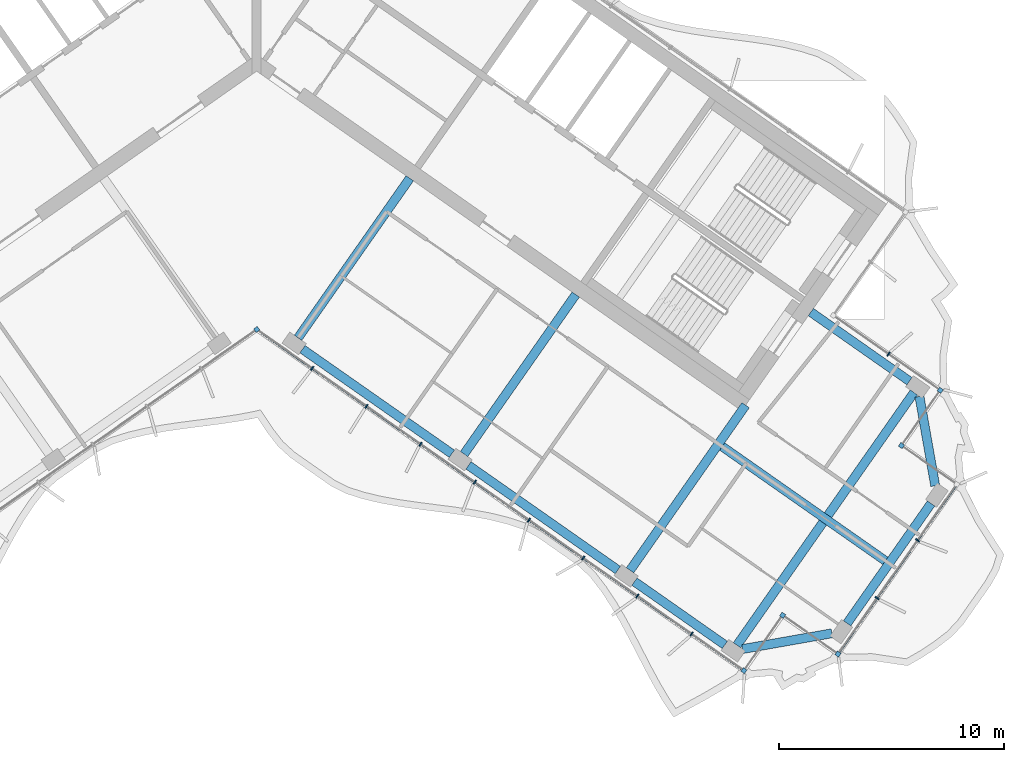
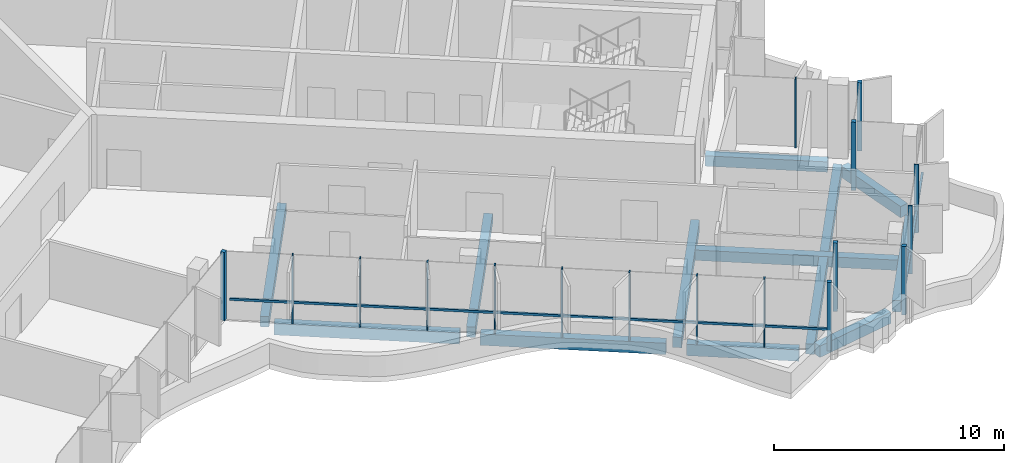
# One storey, part 4 of 18: 19 members, 12 beams, 1 element without a shape of its own.
"""IFC4 building model written with IfcOpenShell, lengths in metres."""

from ifc_helpers import new_model, si_unit, direction, frame, origin, origin_2d, place, context, subcontext, project, spatial, rectangle, extrude, material, material_profile, profile_set, type_object, element, aggregate, save


model = new_model("IFC4")

# Units and contexts
model_context = context("Model", 3, precision=1e-05, world=origin(), true_north=direction((0.0, 1.0)))
body_context = subcontext(model_context, "Body", "Model", "MODEL_VIEW")
ifc_project = project(units=[si_unit("LENGTHUNIT", "METRE"), si_unit("AREAUNIT", "SQUARE_METRE"), si_unit("VOLUMEUNIT", "CUBIC_METRE"), si_unit("PLANEANGLEUNIT", "RADIAN"), si_unit("MASSUNIT", "GRAM", prefix="KILO")], contexts=[model_context])

# Site, building, storey
site_placement = place(None, origin())
site = spatial("IfcSite", under=ifc_project, at=site_placement, CompositionType="ELEMENT")
building_placement = place(site_placement, origin())
building = spatial("IfcBuilding", under=site, at=building_placement, Name="Tel Ilan Convention Tower", CompositionType="ELEMENT")
storey_placement = place(building_placement, frame((0.0, 0.0, 252.699951171875)))
storey = spatial("IfcBuildingStorey", under=building, at=storey_placement, Name="L59", CompositionType="ELEMENT", Elevation=252.699951171875)

# Beams
ifc_material_1 = material(Name="Concrete C40/50", Category="concrete")
ifc_material_profile_1 = material_profile(ifc_material_1, rectangle(XDim=0.39990234375, YDim=0.550048828125, at=origin_2d()), Name="RC 400x550")
ifc_profile_set_1 = profile_set([ifc_material_profile_1], Name="Concrete C40/50")
beam_type_1 = type_object("IfcBeamType", Name="Beam RC 400x550 Concrete C40/50", PredefinedType="BEAM", material=ifc_profile_set_1)
beam_1_placement = place(storey_placement, frame((28.99462890625, -14.991943359375, -0.554931640625), z_axis=(-0.819146154531, 0.573584847705, 0.0), x_axis=(-0.573584847705, -0.819146154531, 0.0)))
element("IfcBeam", 1, at=beam_1_placement, inside=storey, type_object=beam_type_1, Name="L59 beam E-E-BC-core", PredefinedType="BEAM", context=body_context, shape_type="SweptSolid", body=[
    extrude(rectangle(XDim=0.39990234375, YDim=0.550048828125, at=origin_2d()), origin(), (0.0, 0.0, 1.0), 5.349853515625),
])
for number, where, z_axis, x_axis, name in (
    (2, (1.83740234375, -13.06689453125, -0.554931640625), (0.573574099654, 0.819153680457, 0.0), (-0.819153680457, 0.573574099654, 0.0), "L59 beam E-E-F1-core"),
    (3, (9.209716796875, -18.229248046875, -0.554931640625), (0.573574099654, 0.819153680457, 0.0), (-0.819153680457, 0.573574099654, 0.0), "L59 beam E-E-F2-core"),
):
    element("IfcBeam", number, at=place(storey_placement, frame(where, z_axis=z_axis, x_axis=x_axis)), inside=storey, type_object=beam_type_1, Name=name, PredefinedType="BEAM", context=body_context, shape_type="SweptSolid", body=[
        extrude(rectangle(XDim=0.39990234375, YDim=0.550048828125, at=origin_2d()), origin(), (0.0, 0.0, 1.0), 8.64990234375),
    ])
beam_2_placement = place(storey_placement, frame((16.58203125, -23.391357421875, -0.554931640625), z_axis=(0.573584999642, 0.819146048141, 0.0), x_axis=(-0.819146048141, 0.573584999642, 0.0)))
element("IfcBeam", 4, at=beam_2_placement, inside=storey, type_object=beam_type_1, Name="L59 beam E-E-F3-core", PredefinedType="BEAM", context=body_context, shape_type="SweptSolid", body=[
    extrude(rectangle(XDim=0.39990234375, YDim=0.550048828125, at=origin_2d()), origin(), (0.0, 0.0, 1.0), 8.949951171875),
])
beam_3_placement = place(storey_placement, frame((20.6748046875, -17.89501953125, -0.554931640625), z_axis=(0.819162208319, -0.573561920338, 0.0), x_axis=(0.573561920338, 0.819162208319, 0.0)))
element("IfcBeam", 5, at=beam_3_placement, inside=storey, type_object=beam_type_1, Name="L59 beam E-core-end", PredefinedType="BEAM", context=body_context, shape_type="SweptSolid", body=[
    extrude(rectangle(XDim=0.39990234375, YDim=0.550048828125, at=origin_2d()), origin(), (0.0, 0.0, 1.0), 9.0498046875),
])
beam_4_placement = place(storey_placement, frame((21.333251953125, -26.718017578125, -0.554931640625), z_axis=(0.57357117602, 0.819155727587, 0.0), x_axis=(-0.819155727587, 0.57357117602, 0.0)))
element("IfcBeam", 6, at=beam_4_placement, inside=storey, type_object=beam_type_1, Name="L59 beam E-E-FC-E-BC", PredefinedType="BEAM", context=body_context, shape_type="SweptSolid", body=[
    extrude(rectangle(XDim=0.39990234375, YDim=0.550048828125, at=origin_2d()), origin(), (0.0, 0.0, 1.0), 13.699951171875),
])
ifc_material_2 = material(Name="Concrete C40/50", Category="concrete")
ifc_material_profile_2 = material_profile(ifc_material_2, rectangle(XDim=0.39990234375, YDim=0.60009765625, at=origin_2d()), Name="RC 400x600")
ifc_profile_set_2 = profile_set([ifc_material_profile_2], Name="Concrete C40/50")
beam_type_2 = type_object("IfcBeamType", Name="Beam RC 400x600 Concrete C40/50", PredefinedType="BEAM", material=ifc_profile_set_2)
beam_5_placement = place(storey_placement, frame((2.033935546875, -13.57080078125, -0.579833984375), z_axis=(0.81914553362, -0.573585734437, 0.0), x_axis=(0.573585734437, 0.81914553362, 0.0)))
element("IfcBeam", 7, at=beam_5_placement, inside=storey, type_object=beam_type_2, Name="L59 beam E-E-F1-E-F2", PredefinedType="BEAM", context=body_context, shape_type="SweptSolid", body=[
    extrude(rectangle(XDim=0.39990234375, YDim=0.60009765625, at=origin_2d()), origin(), (0.0, 0.0, 1.0), 8.099853515625),
])
beam_6_placement = place(storey_placement, frame((9.40625, -18.73291015625, -0.579833984375), z_axis=(0.819155449703, -0.573571572885, 0.0), x_axis=(0.573571572885, 0.819155449703, 0.0)))
element("IfcBeam", 8, at=beam_6_placement, inside=storey, type_object=beam_type_2, Name="L59 beam E-E-F2-E-F3", PredefinedType="BEAM", context=body_context, shape_type="SweptSolid", body=[
    extrude(rectangle(XDim=0.39990234375, YDim=0.60009765625, at=origin_2d()), origin(), (0.0, 0.0, 1.0), 8.10009765625),
])
beam_7_placement = place(storey_placement, frame((16.778564453125, -23.895263671875, -0.579833984375), z_axis=(0.819154669329, -0.573572687386, 0.0), x_axis=(0.573572687386, 0.819154669329, 0.0)))
element("IfcBeam", 9, at=beam_7_placement, inside=storey, type_object=beam_type_2, Name="L59 beam E-E-F3-E-FC", PredefinedType="BEAM", context=body_context, shape_type="SweptSolid", body=[
    extrude(rectangle(XDim=0.39990234375, YDim=0.60009765625, at=origin_2d()), origin(), (0.0, 0.0, 1.0), 4.900146484375),
])
beam_8_placement = place(storey_placement, frame((21.578857421875, -26.89013671875, -0.579833984375), z_axis=(0.984804894423, 0.173664388751, 0.0), x_axis=(-0.173664388751, 0.984804894423, 0.0)))
element("IfcBeam", 10, at=beam_8_placement, inside=storey, type_object=beam_type_2, Name="L59 beam E-E-FC-E-E1", PredefinedType="BEAM", context=body_context, shape_type="SweptSolid", body=[
    extrude(rectangle(XDim=0.39990234375, YDim=0.60009765625, at=origin_2d()), origin(), (0.0, 0.0, 1.0), 4.030517578125),
])
beam_9_placement = place(storey_placement, frame((26.22412109375, -25.748046875, -0.579833984375), z_axis=(0.573580816643, 0.819148977158, 0.0), x_axis=(-0.819148977158, 0.573580816643, 0.0)))
element("IfcBeam", 11, at=beam_9_placement, inside=storey, type_object=beam_type_2, Name="L59 beam E-E-E1-E-E2", PredefinedType="BEAM", context=body_context, shape_type="SweptSolid", body=[
    extrude(rectangle(XDim=0.39990234375, YDim=0.60009765625, at=origin_2d()), origin(), (0.0, 0.0, 1.0), 6.5),
])
beam_10_placement = place(storey_placement, frame((30.13671875, -19.63720703125, -0.579833984375), z_axis=(-0.173595285393, 0.984817077883, 0.0), x_axis=(-0.984817077883, -0.173595285393, 0.0)))
element("IfcBeam", 12, at=beam_10_placement, inside=storey, type_object=beam_type_2, Name="L59 beam E-E-E2-E-BC", PredefinedType="BEAM", context=body_context, shape_type="SweptSolid", body=[
    extrude(rectangle(XDim=0.39990234375, YDim=0.60009765625, at=origin_2d()), origin(), (0.0, 0.0, 1.0), 4.03076171875),
])

# Curtain wall, members
ifc_material_3 = material(Name="Aluminium, bronze anodised", Category="aluminium")
curtain_wall_type = type_object("IfcCurtainWallType", Name="CW5 STICK CURTAIN WALL, UPPER OFFICE LOW-IRON TINTED GLASS", PredefinedType="NOTDEFINED", material=ifc_material_3)
curtain_wall_placement = place(storey_placement, origin())
curtain_wall = element("IfcCurtainWall", 13, at=curtain_wall_placement, inside=storey, type_object=curtain_wall_type, Name="Curtain wall CW5-46.02", PredefinedType="NOTDEFINED")
ifc_material_4 = material(Name="Aluminium, bronze anodised", Category="aluminium")
ifc_material_profile_3 = material_profile(ifc_material_4, rectangle(XDim=0.199951171875, YDim=0.199951171875, at=origin_2d()), Name="CW CORNER MULLION 200x200")
ifc_profile_set_3 = profile_set([ifc_material_profile_3], Name="Aluminium, bronze anodised")
member_type_1 = type_object("IfcMemberType", Name="CW CORNER MULLION 200x200", PredefinedType="MULLION", material=ifc_profile_set_3)
member_1_placement = place(storey_placement, frame((0.0, -12.696044921875, 0.0), z_axis=(0.0, 0.0, 1.0), x_axis=(0.819152044289, 0.573576436351, 0.0)))
member_1 = element("IfcMember", 14, at=member_1_placement, type_object=member_type_1, Name="Corner mullion", PredefinedType="MULLION", context=body_context, shape_type="SweptSolid", body=[
    extrude(rectangle(XDim=0.199951171875, YDim=0.199951171875, at=origin_2d()), origin(), (0.0, 0.0, 1.0), 3.6201171875),
])
member_2_placement = place(storey_placement, frame((21.64013671875, -27.8486328125, 0.0), z_axis=(0.0, 0.0, 1.0), x_axis=(0.819152044289, -0.573576436351, 0.0)))
member_2 = element("IfcMember", 15, at=member_2_placement, type_object=member_type_1, Name="Corner mullion", PredefinedType="MULLION", context=body_context, shape_type="SweptSolid", body=[
    extrude(rectangle(XDim=0.199951171875, YDim=0.199951171875, at=origin_2d()), origin(), (0.0, 0.0, 1.0), 3.6201171875),
])
member_3_placement = place(storey_placement, frame((23.36083984375, -25.391357421875, 0.0), z_axis=(0.0, 0.0, 1.0), x_axis=(0.573576436351, 0.819152044289, 0.0)))
member_3 = element("IfcMember", 16, at=member_3_placement, type_object=member_type_1, Name="Corner mullion", PredefinedType="MULLION", context=body_context, shape_type="SweptSolid", body=[
    extrude(rectangle(XDim=0.199951171875, YDim=0.199951171875, at=origin_2d()), origin(), (0.0, 0.0, 1.0), 3.6201171875),
])
member_4_placement = place(storey_placement, frame((25.818359375, -27.112060546875, 0.0), z_axis=(0.0, 0.0, 1.0), x_axis=(0.819152044289, -0.573576436351, 0.0)))
member_4 = element("IfcMember", 17, at=member_4_placement, type_object=member_type_1, Name="Corner mullion", PredefinedType="MULLION", context=body_context, shape_type="SweptSolid", body=[
    extrude(rectangle(XDim=0.199951171875, YDim=0.199951171875, at=origin_2d()), origin(), (0.0, 0.0, 1.0), 3.6201171875),
])
member_5_placement = place(storey_placement, frame((28.637939453125, -17.85498046875, 0.0), z_axis=(0.0, 0.0, 1.0), x_axis=(-0.819152044289, 0.573576436351, 0.0)))
member_5 = element("IfcMember", 18, at=member_5_placement, type_object=member_type_1, Name="Corner mullion", PredefinedType="MULLION", context=body_context, shape_type="SweptSolid", body=[
    extrude(rectangle(XDim=0.199951171875, YDim=0.199951171875, at=origin_2d()), origin(), (0.0, 0.0, 1.0), 3.6201171875),
])
member_6_placement = place(storey_placement, frame((30.358642578125, -15.397705078125, 0.0), z_axis=(0.0, 0.0, 1.0), x_axis=(0.573576436351, 0.819152044289, 0.0)))
member_6 = element("IfcMember", 19, at=member_6_placement, type_object=member_type_1, Name="Corner mullion", PredefinedType="MULLION", context=body_context, shape_type="SweptSolid", body=[
    extrude(rectangle(XDim=0.199951171875, YDim=0.199951171875, at=origin_2d()), origin(), (0.0, 0.0, 1.0), 3.6201171875),
])
ifc_material_5 = material(Name="Aluminium, bronze anodised", Category="aluminium")
ifc_material_profile_4 = material_profile(ifc_material_5, rectangle(XDim=0.06005859375, YDim=0.199951171875, at=origin_2d()), Name="CW MULLION 60x200")
ifc_profile_set_4 = profile_set([ifc_material_profile_4], Name="Aluminium, bronze anodised")
member_type_2 = type_object("IfcMemberType", Name="CW MULLION 60x200", PredefinedType="MULLION", material=ifc_profile_set_4)
member_7_placement = place(storey_placement, frame((2.464599609375, -14.421875, 0.0), z_axis=(0.0, 0.0, 1.0), x_axis=(0.819152044289, -0.573576436351, 0.0)))
member_7 = element("IfcMember", 20, at=member_7_placement, type_object=member_type_2, Name="Mullion", PredefinedType="MULLION", context=body_context, shape_type="SweptSolid", body=[
    extrude(rectangle(XDim=0.06005859375, YDim=0.199951171875, at=origin_2d()), origin(), (0.0, 0.0, 1.0), 3.6201171875),
])
member_8_placement = place(storey_placement, frame((4.871826171875, -16.107177734375, 0.0), z_axis=(0.0, 0.0, 1.0), x_axis=(0.819152044289, -0.573576436351, 0.0)))
member_8 = element("IfcMember", 21, at=member_8_placement, type_object=member_type_2, Name="Mullion", PredefinedType="MULLION", context=body_context, shape_type="SweptSolid", body=[
    extrude(rectangle(XDim=0.06005859375, YDim=0.199951171875, at=origin_2d()), origin(), (0.0, 0.0, 1.0), 3.6201171875),
])
member_9_placement = place(storey_placement, frame((7.279052734375, -17.792724609375, 0.0), z_axis=(0.0, 0.0, 1.0), x_axis=(0.819152044289, -0.573576436351, 0.0)))
member_9 = element("IfcMember", 22, at=member_9_placement, type_object=member_type_2, Name="Mullion", PredefinedType="MULLION", context=body_context, shape_type="SweptSolid", body=[
    extrude(rectangle(XDim=0.06005859375, YDim=0.199951171875, at=origin_2d()), origin(), (0.0, 0.0, 1.0), 3.6201171875),
])
member_10_placement = place(storey_placement, frame((9.68603515625, -19.478271484375, 0.0), z_axis=(0.0, 0.0, 1.0), x_axis=(0.819152044289, -0.573576436351, 0.0)))
member_10 = element("IfcMember", 23, at=member_10_placement, type_object=member_type_2, Name="Mullion", PredefinedType="MULLION", context=body_context, shape_type="SweptSolid", body=[
    extrude(rectangle(XDim=0.06005859375, YDim=0.199951171875, at=origin_2d()), origin(), (0.0, 0.0, 1.0), 3.6201171875),
])
member_11_placement = place(storey_placement, frame((12.09326171875, -21.163818359375, 0.0), z_axis=(0.0, 0.0, 1.0), x_axis=(0.819152044289, -0.573576436351, 0.0)))
member_11 = element("IfcMember", 24, at=member_11_placement, type_object=member_type_2, Name="Mullion", PredefinedType="MULLION", context=body_context, shape_type="SweptSolid", body=[
    extrude(rectangle(XDim=0.06005859375, YDim=0.199951171875, at=origin_2d()), origin(), (0.0, 0.0, 1.0), 3.6201171875),
])
member_12_placement = place(storey_placement, frame((14.50048828125, -22.849365234375, 0.0), z_axis=(0.0, 0.0, 1.0), x_axis=(0.819152044289, -0.573576436351, 0.0)))
member_12 = element("IfcMember", 25, at=member_12_placement, type_object=member_type_2, Name="Mullion", PredefinedType="MULLION", context=body_context, shape_type="SweptSolid", body=[
    extrude(rectangle(XDim=0.06005859375, YDim=0.199951171875, at=origin_2d()), origin(), (0.0, 0.0, 1.0), 3.6201171875),
])
member_13_placement = place(storey_placement, frame((16.90771484375, -24.534912109375, 0.0), z_axis=(0.0, 0.0, 1.0), x_axis=(0.819152044289, -0.573576436351, 0.0)))
member_13 = element("IfcMember", 26, at=member_13_placement, type_object=member_type_2, Name="Mullion", PredefinedType="MULLION", context=body_context, shape_type="SweptSolid", body=[
    extrude(rectangle(XDim=0.06005859375, YDim=0.199951171875, at=origin_2d()), origin(), (0.0, 0.0, 1.0), 3.6201171875),
])
member_14_placement = place(storey_placement, frame((19.31494140625, -26.220458984375, 0.0), z_axis=(0.0, 0.0, 1.0), x_axis=(0.819152044289, -0.573576436351, 0.0)))
member_14 = element("IfcMember", 27, at=member_14_placement, type_object=member_type_2, Name="Mullion", PredefinedType="MULLION", context=body_context, shape_type="SweptSolid", body=[
    extrude(rectangle(XDim=0.06005859375, YDim=0.199951171875, at=origin_2d()), origin(), (0.0, 0.0, 1.0), 3.6201171875),
])
member_15_placement = place(storey_placement, frame((27.558349609375, -24.627197265625, 0.0), z_axis=(0.0, 0.0, 1.0), x_axis=(0.573576436351, 0.819152044289, 0.0)))
member_15 = element("IfcMember", 28, at=member_15_placement, type_object=member_type_2, Name="Mullion", PredefinedType="MULLION", context=body_context, shape_type="SweptSolid", body=[
    extrude(rectangle(XDim=0.06005859375, YDim=0.199951171875, at=origin_2d()), origin(), (0.0, 0.0, 1.0), 3.6201171875),
])
member_16_placement = place(storey_placement, frame((29.35546875, -22.060546875, 0.0), z_axis=(0.0, 0.0, 1.0), x_axis=(0.573576436351, 0.819152044289, 0.0)))
member_16 = element("IfcMember", 29, at=member_16_placement, type_object=member_type_2, Name="Mullion", PredefinedType="MULLION", context=body_context, shape_type="SweptSolid", body=[
    extrude(rectangle(XDim=0.06005859375, YDim=0.199951171875, at=origin_2d()), origin(), (0.0, 0.0, 1.0), 3.6201171875),
])
member_17_placement = place(storey_placement, frame((28.06494140625, -13.79150390625, 0.0), z_axis=(0.0, 0.0, 1.0), x_axis=(-0.819152044289, 0.573576436351, 0.0)))
member_17 = element("IfcMember", 30, at=member_17_placement, type_object=member_type_2, Name="Mullion", PredefinedType="MULLION", context=body_context, shape_type="SweptSolid", body=[
    extrude(rectangle(XDim=0.06005859375, YDim=0.199951171875, at=origin_2d()), origin(), (0.0, 0.0, 1.0), 3.6201171875),
])
ifc_material_6 = material(Name="Aluminium, bronze anodised", Category="aluminium")
ifc_material_profile_5 = material_profile(ifc_material_6, rectangle(XDim=0.10009765625, YDim=0.1201171875, at=origin_2d()), Name="CW TRANSOM 100x120")
ifc_profile_set_5 = profile_set([ifc_material_profile_5], Name="Aluminium, bronze anodised")
member_type_3 = type_object("IfcMemberType", Name="CW TRANSOM 100x120", PredefinedType="USERDEFINED", material=ifc_profile_set_5)
member_18_placement = place(storey_placement, frame((0.22119140625, -12.850830078125, 1.10009765625), z_axis=(0.819152212587, -0.573576195996, 0.0), x_axis=(0.573576195996, 0.819152212587, 0.0)))
member_18 = element("IfcMember", 31, at=member_18_placement, type_object=member_type_3, Name="Transom", ObjectType="TRANSOM", PredefinedType="USERDEFINED", context=body_context, shape_type="SweptSolid", body=[
    extrude(rectangle(XDim=0.10009765625, YDim=0.1201171875, at=origin_2d()), origin(), (0.0, 0.0, 1.0), 26.0478515625),
])
member_19_placement = place(storey_placement, frame((25.875732421875, -27.030029296875, 1.10009765625), z_axis=(0.573573395961, 0.819154173185, 0.0), x_axis=(-0.819154173185, 0.573573395961, 0.0)))
member_19 = element("IfcMember", 32, at=member_19_placement, type_object=member_type_3, Name="Transom", ObjectType="TRANSOM", PredefinedType="USERDEFINED", context=body_context, shape_type="SweptSolid", body=[
    extrude(rectangle(XDim=0.10009765625, YDim=0.1201171875, at=origin_2d()), origin(), (0.0, 0.0, 1.0), 9.0),
])
aggregate(curtain_wall, [member_1, member_7, member_8, member_9, member_10, member_11, member_12, member_13, member_14, member_2, member_18, member_3, member_4, member_15, member_16, member_19, member_5, member_6, member_17])

save(model, "model.ifc")
